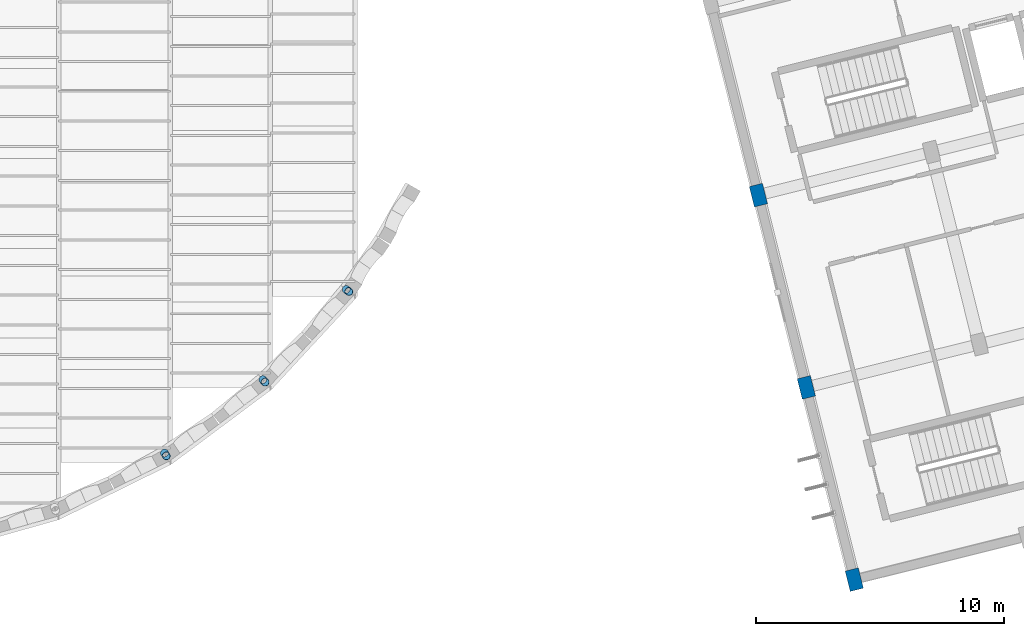
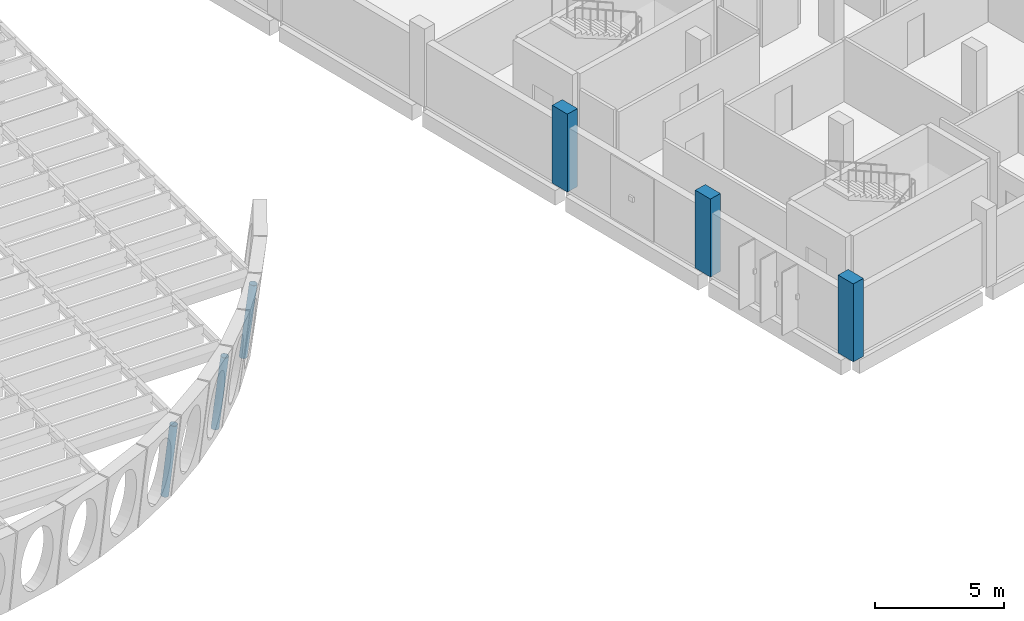
# One storey, part 7 of 47: 6 columns.
"""IFC4 building model written with IfcOpenShell, lengths in metres."""

from ifc_helpers import new_model, si_unit, direction, frame, origin, origin_2d, place, context, subcontext, project, spatial, rectangle, hollow_circle, extrude, material, material_profile, profile_set, type_object, element, save


model = new_model("IFC4")

# Units and contexts
model_context = context("Model", 3, precision=1e-05, world=origin(), true_north=direction((0.0, 1.0)))
body_context = subcontext(model_context, "Body", "Model", "MODEL_VIEW")
ifc_project = project(units=[si_unit("LENGTHUNIT", "METRE"), si_unit("AREAUNIT", "SQUARE_METRE"), si_unit("VOLUMEUNIT", "CUBIC_METRE"), si_unit("PLANEANGLEUNIT", "RADIAN"), si_unit("MASSUNIT", "GRAM", prefix="KILO")], contexts=[model_context])

# Site, building, storey
site_placement = place(None, origin())
site = spatial("IfcSite", under=ifc_project, at=site_placement, CompositionType="ELEMENT")
building_placement = place(site_placement, origin())
building = spatial("IfcBuilding", under=site, at=building_placement, Name="Mawjan Specialist Oncology Clinic", CompositionType="ELEMENT")
storey_placement = place(building_placement, frame((0.0, 0.0, 9.5)))
storey = spatial("IfcBuildingStorey", under=building, at=storey_placement, Name="L02", CompositionType="ELEMENT", Elevation=9.5)

# Columns
ifc_material_1 = material(Name="Concrete C45/55", Category="concrete")
ifc_material_profile_1 = material_profile(ifc_material_1, rectangle(XDim=0.550048828125, YDim=0.85009765625, at=origin_2d()), Name="RC COL 550x850", Category="concrete")
ifc_profile_set_1 = profile_set([ifc_material_profile_1], Name="Concrete C45/55")
column_type_1 = type_object("IfcColumnType", Name="C-550x850", PredefinedType="COLUMN", material=ifc_profile_set_1)
for number, where, z_axis, x_axis, name in (
    (1, (126.0, 0.800048828125, 0.0), (0.0, 0.0, 1.0), (0.970295726276, 0.2419218956, 0.0), "L02 Column R-RA-R1"),
    (2, (124.064697265625, 8.562255859375, 0.0), (0.0, 0.0, 1.0), (0.970295726276, 0.2419218956, 0.0), "L02 Column R-RA-R2"),
    (3, (122.129150390625, 16.32470703125, 0.0), (0.0, 0.0, 1.0), (0.970295726276, 0.2419218956, 0.0), "L02 Column R-RA-R3"),
):
    element("IfcColumn", number, at=place(storey_placement, frame(where, z_axis=z_axis, x_axis=x_axis)), inside=storey, type_object=column_type_1, Name=name, PredefinedType="COLUMN", context=body_context, shape_type="SweptSolid", body=[
        extrude(rectangle(XDim=0.550048828125, YDim=0.85009765625, at=origin_2d()), origin(), (0.0, 0.0, 1.0), 3.699951171875),
    ])
ifc_material_2 = material(Name="Structural steel S355", Category="steel")
ifc_material_profile_2 = material_profile(ifc_material_2, hollow_circle(Radius=0.161865234375, WallThickness=0.011962890625, at=origin_2d()), Name="CHS 323.9x12", Category="steel")
ifc_profile_set_2 = profile_set([ifc_material_profile_2], Name="Structural steel S355")
column_type_2 = type_object("IfcColumnType", Name="SC-CHS324", PredefinedType="COLUMN", material=ifc_profile_set_2)
for number, where, z_axis, x_axis, name in (
    (4, (98.150390625, 5.908447265625, 0.0), (0.059187125534, -0.096542934273, 0.993567484378), (0.852539674435, 0.522662513975, 0.0), "Stone-Arc Restraint Pier 9 L02"),
    (5, (102.12158203125, 8.873779296875, 0.0), (0.075751885683, -0.084068652638, 0.993576425575), (0.742898124979, 0.669404493489, 0.0), "Stone-Arc Restraint Pier 10 L02"),
    (6, (105.48583984375, 12.51318359375, 0.0), (0.089820730628, -0.068890282596, 0.993572526449), (0.608585775244, 0.793488093276, 0.0), "Stone-Arc Restraint Pier 11 L02"),
):
    element("IfcColumn", number, at=place(storey_placement, frame(where, z_axis=z_axis, x_axis=x_axis)), inside=storey, type_object=column_type_2, Name=name, PredefinedType="COLUMN", context=body_context, shape_type="SweptSolid", body=[
        extrude(hollow_circle(Radius=0.161865234375, WallThickness=0.011962890625, at=origin_2d()), origin(), (0.0, 0.0, 1.0), 3.522705078125),
    ])

save(model, "model.ifc")
